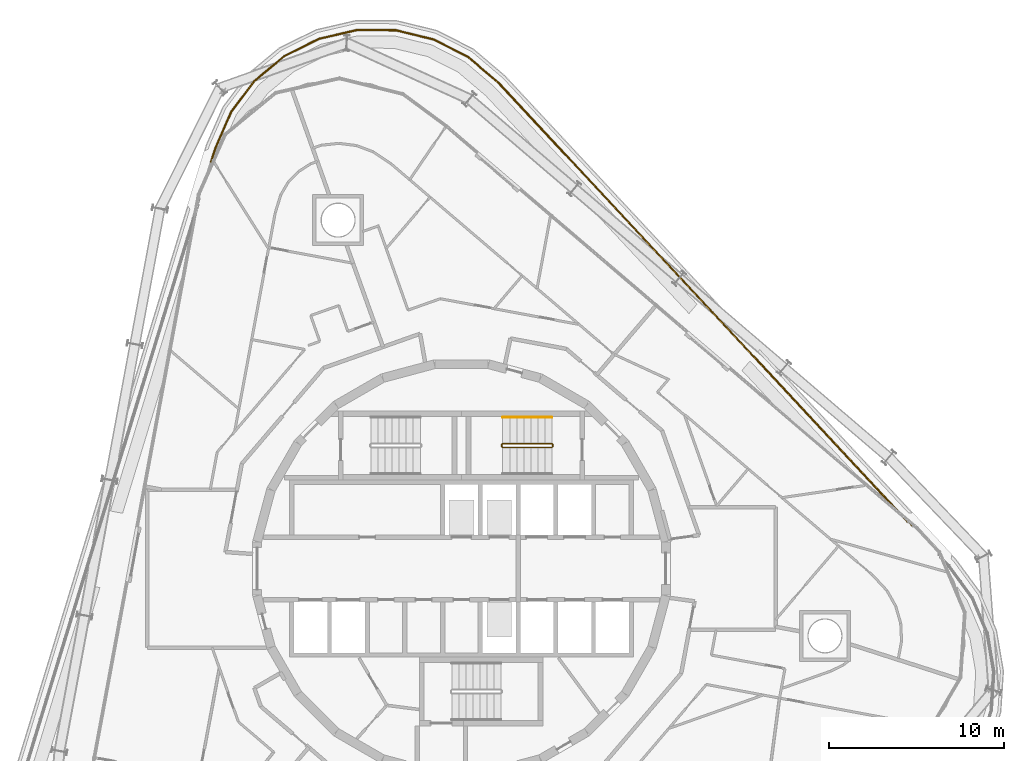
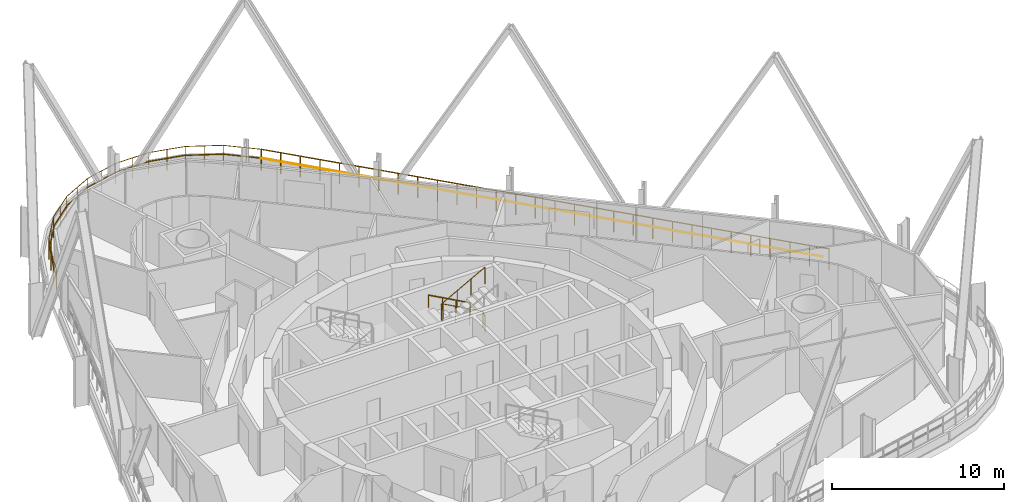
# One storey, part 21 of 25: 6 railings.
"""IFC4 building model written with IfcOpenShell, lengths in metres."""

from ifc_helpers import new_model, si_unit, direction, frame, origin, origin_2d, place, context, subcontext, project, spatial, circle, extrude, material, type_object, element, save


model = new_model("IFC4")

# Units and contexts
model_context = context("Model", 3, precision=1e-05, world=origin(), true_north=direction((0.0, 1.0)))
body_context = subcontext(model_context, "Body", "Model", "MODEL_VIEW")
ifc_project = project(units=[si_unit("LENGTHUNIT", "METRE"), si_unit("AREAUNIT", "SQUARE_METRE"), si_unit("VOLUMEUNIT", "CUBIC_METRE"), si_unit("PLANEANGLEUNIT", "RADIAN"), si_unit("MASSUNIT", "GRAM", prefix="KILO")], contexts=[model_context])

# Site, building, storey
site_placement = place(None, origin())
site = spatial("IfcSite", under=ifc_project, at=site_placement, CompositionType="ELEMENT")
building_placement = place(site_placement, origin())
building = spatial("IfcBuilding", under=site, at=building_placement, Name="Spindle Arch Residences", CompositionType="ELEMENT")
storey_placement = place(building_placement, frame((0.0, 0.0, 151.699951171875)))
storey = spatial("IfcBuildingStorey", under=building, at=storey_placement, Name="L37", CompositionType="ELEMENT", Elevation=151.699951171875)

# Railings
ifc_material_1 = material(Name="Steel, painted", Category="steel")
railing_type_1 = type_object("IfcRailingType", Name="Stair guard 1100", PredefinedType="GUARDRAIL", material=ifc_material_1)
railing_1_placement = place(storey_placement, frame((5.14990234375, 6.89990234375, 3.5)))
element("IfcRailing", 1, at=railing_1_placement, inside=storey, type_object=railing_type_1, Name="L37 ST1 stair guard 1", PredefinedType="GUARDRAIL", context=body_context, shape_type="SweptSolid", body=[
    extrude(circle(Radius=0.02392578125, at=origin_2d()), frame((0.0, 0.0, 1.17578125), z_axis=(-0.877357048833, 0.0, -0.479838106931), x_axis=(0.0, -1.0, 0.0)), (0.0, 0.0, 1.0), 3.191162109375),
    extrude(circle(Radius=0.02392578125, at=origin_2d()), frame((-2.7998046875, 0.0, -0.35546875), z_axis=(-0.217683172539, 0.217683172539, -0.951434744366), x_axis=(-0.707106781187, -0.707106781187, 0.0)), (0.0, 0.0, 1.0), 0.22998046875),
    extrude(circle(Radius=0.02392578125, at=origin_2d()), frame((-2.849853515625, 0.050048828125, -0.57421875), z_axis=(0.0, 1.0, 0.0), x_axis=(-1.0, 0.0, 0.0)), (0.0, 0.0, 1.0), 0.1201171875),
    extrude(circle(Radius=0.02392578125, at=origin_2d()), frame((-2.849853515625, 0.170166015625, -0.57421875), z_axis=(0.707106781187, 0.707106781187, 0.0), x_axis=(-0.707106781187, 0.707106781187, 0.0)), (0.0, 0.0, 1.0), 0.07080078125),
    extrude(circle(Radius=0.02392578125, at=origin_2d()), frame((-2.7998046875, 0.22021484375, -0.57421875), z_axis=(0.877357048833, 0.0, -0.479838106931), x_axis=(0.0, 1.0, 0.0)), (0.0, 0.0, 1.0), 3.191162109375),
    extrude(circle(Radius=0.02392578125, at=origin_2d()), frame((0.0, 0.22021484375, -2.10546875), z_axis=(0.217683172539, -0.217683172539, -0.951434744366), x_axis=(0.707106781187, 0.707106781187, 0.0)), (0.0, 0.0, 1.0), 0.22998046875),
    extrude(circle(Radius=0.02392578125, at=origin_2d()), frame((0.050048828125, 0.170166015625, -2.32421875), z_axis=(0.0, -1.0, 0.0), x_axis=(1.0, 0.0, 0.0)), (0.0, 0.0, 1.0), 0.1201171875),
    extrude(circle(Radius=0.02099609375, at=origin_2d()), origin(), (0.0, 0.0, 1.0), 1.15185546875),
    extrude(circle(Radius=0.02099609375, at=origin_2d()), frame((-0.933349609375, 0.0, -0.510498046875)), (0.0, 0.0, 1.0), 1.15185546875),
    extrude(circle(Radius=0.02099609375, at=origin_2d()), frame((-1.866455078125, 0.0, -1.020751953125)), (0.0, 0.0, 1.0), 1.15185546875),
    extrude(circle(Radius=0.02099609375, at=origin_2d()), frame((-2.7998046875, 0.0, -1.53125)), (0.0, 0.0, 1.0), 1.15185546875),
    extrude(circle(Radius=0.02099609375, at=origin_2d()), frame((-2.849853515625, 0.050048828125, -1.75)), (0.0, 0.0, 1.0), 1.15185546875),
    extrude(circle(Radius=0.02099609375, at=origin_2d()), frame((-2.849853515625, 0.170166015625, -1.75)), (0.0, 0.0, 1.0), 1.15185546875),
    extrude(circle(Radius=0.02099609375, at=origin_2d()), frame((-2.7998046875, 0.22021484375, -1.75)), (0.0, 0.0, 1.0), 1.15185546875),
    extrude(circle(Radius=0.02099609375, at=origin_2d()), frame((-1.866455078125, 0.22021484375, -2.260498046875)), (0.0, 0.0, 1.0), 1.15185546875),
    extrude(circle(Radius=0.02099609375, at=origin_2d()), frame((-0.933349609375, 0.22021484375, -2.770751953125)), (0.0, 0.0, 1.0), 1.15185546875),
    extrude(circle(Radius=0.02099609375, at=origin_2d()), frame((0.0, 0.22021484375, -3.28125)), (0.0, 0.0, 1.0), 1.15185546875),
    extrude(circle(Radius=0.02099609375, at=origin_2d()), frame((0.050048828125, 0.170166015625, -3.5)), (0.0, 0.0, 1.0), 1.15185546875),
    extrude(circle(Radius=0.02099609375, at=origin_2d()), frame((0.050048828125, 0.050048828125, -3.5)), (0.0, 0.0, 1.0), 1.15185546875),
])
ifc_material_2 = material(Name="Steel, painted", Category="steel")
railing_type_2 = type_object("IfcRailingType", Name="Stair handrail 900", PredefinedType="HANDRAIL", material=ifc_material_2)
railing_2_placement = place(storey_placement, frame((5.14990234375, 8.6201171875, 0.21875)))
element("IfcRailing", 2, at=railing_2_placement, inside=storey, type_object=railing_type_2, Name="L37 ST1 stair handrail 1", PredefinedType="HANDRAIL", context=body_context, shape_type="SweptSolid", body=[
    extrude(circle(Radius=0.02392578125, at=origin_2d()), frame((0.0, 0.0, 0.8759765625), z_axis=(-0.877357048833, 0.0, 0.479838106931), x_axis=(0.0, -1.0, 0.0)), (0.0, 0.0, 1.0), 3.191162109375),
    extrude(circle(Radius=0.02099609375, at=origin_2d()), origin(), (0.0, 0.0, 1.0), 0.851806640625),
    extrude(circle(Radius=0.02099609375, at=origin_2d()), frame((-0.933349609375, 0.0, 0.510498046875)), (0.0, 0.0, 1.0), 0.851806640625),
    extrude(circle(Radius=0.02099609375, at=origin_2d()), frame((-1.866455078125, 0.0, 1.020751953125)), (0.0, 0.0, 1.0), 0.851806640625),
    extrude(circle(Radius=0.02099609375, at=origin_2d()), frame((-2.7998046875, 0.0, 1.53125)), (0.0, 0.0, 1.0), 0.851806640625),
])
ifc_material_3 = material(Name="Bronze anodised aluminium guard with glass infill", Category="aluminium")
railing_type_3 = type_object("IfcRailingType", Name="Terrace guard 1500", PredefinedType="GUARDRAIL", material=ifc_material_3)
railing_3_placement = place(storey_placement, frame((-14.2998046875, 23.175048828125, 0.030029296875)))
element("IfcRailing", 3, at=railing_3_placement, inside=storey, type_object=railing_type_3, Name="Terrace guard L36 6", PredefinedType="GUARDRAIL", context=body_context, shape_type="SweptSolid", body=[
    extrude(circle(Radius=0.02392578125, at=origin_2d()), frame((0.0, 0.0, 1.47607421875), z_axis=(0.874157276122, -0.485642931179, 0.0), x_axis=(0.485642931179, 0.874157276122, 0.0)), (0.0, 0.0, 1.0), 0.010009765625),
    extrude(circle(Radius=0.02392578125, at=origin_2d()), frame((0.0087890625, -0.0048828125, 1.47607421875), z_axis=(0.292233093235, 0.956347122764, 0.0), x_axis=(-0.956347122764, 0.292233093235, 0.0)), (0.0, 0.0, 1.0), 0.85205078125),
    extrude(circle(Radius=0.02392578125, at=origin_2d()), frame((0.2578125, 0.81005859375, 1.47607421875), z_axis=(0.401479384424, 0.915868060303, 0.0), x_axis=(-0.915868060303, 0.401479384424, 0.0)), (0.0, 0.0, 1.0), 2.248779296875),
    extrude(circle(Radius=0.02392578125, at=origin_2d()), frame((1.16064453125, 2.86962890625, 1.47607421875), z_axis=(0.601743331297, 0.79868952869, 0.0), x_axis=(-0.79868952869, 0.601743331297, 0.0)), (0.0, 0.0, 1.0), 2.216552734375),
    extrude(circle(Radius=0.02392578125, at=origin_2d()), frame((2.494384765625, 4.639892578125, 1.47607421875), z_axis=(0.769798879555, 0.638286522681, 0.0), x_axis=(-0.638286522681, 0.769798879555, 0.0)), (0.0, 0.0, 1.0), 2.216552734375),
    extrude(circle(Radius=0.02392578125, at=origin_2d()), frame((4.20068359375, 6.0546875, 1.47607421875), z_axis=(0.896248119099, 0.443553050954, 0.0), x_axis=(-0.443553050954, 0.896248119099, 0.0)), (0.0, 0.0, 1.0), 2.216552734375),
    extrude(circle(Radius=0.02392578125, at=origin_2d()), frame((6.187255859375, 7.037841796875, 1.47607421875), z_axis=(0.974376342045, 0.224923862814, 0.0), x_axis=(-0.224923862814, 0.974376342045, 0.0)), (0.0, 0.0, 1.0), 2.216552734375),
    extrude(circle(Radius=0.02392578125, at=origin_2d()), frame((8.346923828125, 7.536376953125, 1.47607421875), z_axis=(0.999983598258, -0.005727409088, 0.0), x_axis=(0.005727409088, 0.999983598258, 0.0)), (0.0, 0.0, 1.0), 2.216552734375),
    extrude(circle(Radius=0.02392578125, at=origin_2d()), frame((10.5634765625, 7.523681640625, 1.47607421875), z_axis=(0.971684010231, -0.236284117667, 0.0), x_axis=(0.236284117667, 0.971684010231, 0.0)), (0.0, 0.0, 1.0), 2.21630859375),
    extrude(circle(Radius=0.02392578125, at=origin_2d()), frame((12.717041015625, 7.0, 1.47607421875), z_axis=(0.891009236747, -0.453985176004, 0.0), x_axis=(0.453985176004, 0.891009236747, 0.0)), (0.0, 0.0, 1.0), 2.216796875),
    extrude(circle(Radius=0.02392578125, at=origin_2d()), frame((14.692138671875, 5.99365234375, 1.47607421875), z_axis=(0.762252640475, -0.647279624343, 0.0), x_axis=(0.647279624343, 0.762252640475, 0.0)), (0.0, 0.0, 1.0), 2.248779296875),
    extrude(circle(Radius=0.02099609375, at=origin_2d()), origin(), (0.0, 0.0, 1.0), 1.451904296875),
    extrude(circle(Radius=0.02099609375, at=origin_2d()), frame((0.0087890625, -0.0048828125, 0.0)), (0.0, 0.0, 1.0), 1.451904296875),
    extrude(circle(Radius=0.02099609375, at=origin_2d()), frame((0.2578125, 0.81005859375, 0.0)), (0.0, 0.0, 1.0), 1.451904296875),
    extrude(circle(Radius=0.02099609375, at=origin_2d()), frame((0.709228515625, 1.83984375, 0.0)), (0.0, 0.0, 1.0), 1.451904296875),
    extrude(circle(Radius=0.02099609375, at=origin_2d()), frame((1.16064453125, 2.86962890625, 0.0)), (0.0, 0.0, 1.0), 1.451904296875),
    extrude(circle(Radius=0.02099609375, at=origin_2d()), frame((1.82763671875, 3.7548828125, 0.0)), (0.0, 0.0, 1.0), 1.451904296875),
    extrude(circle(Radius=0.02099609375, at=origin_2d()), frame((2.494384765625, 4.639892578125, 0.0)), (0.0, 0.0, 1.0), 1.451904296875),
    extrude(circle(Radius=0.02099609375, at=origin_2d()), frame((3.34765625, 5.34716796875, 0.0)), (0.0, 0.0, 1.0), 1.451904296875),
    extrude(circle(Radius=0.02099609375, at=origin_2d()), frame((4.20068359375, 6.0546875, 0.0)), (0.0, 0.0, 1.0), 1.451904296875),
    extrude(circle(Radius=0.02099609375, at=origin_2d()), frame((5.19384765625, 6.54638671875, 0.0)), (0.0, 0.0, 1.0), 1.451904296875),
    extrude(circle(Radius=0.02099609375, at=origin_2d()), frame((6.187255859375, 7.037841796875, 0.0)), (0.0, 0.0, 1.0), 1.451904296875),
    extrude(circle(Radius=0.02099609375, at=origin_2d()), frame((7.26708984375, 7.287109375, 0.0)), (0.0, 0.0, 1.0), 1.451904296875),
    extrude(circle(Radius=0.02099609375, at=origin_2d()), frame((8.346923828125, 7.536376953125, 0.0)), (0.0, 0.0, 1.0), 1.451904296875),
    extrude(circle(Radius=0.02099609375, at=origin_2d()), frame((9.455078125, 7.530029296875, 0.0)), (0.0, 0.0, 1.0), 1.451904296875),
    extrude(circle(Radius=0.02099609375, at=origin_2d()), frame((10.5634765625, 7.523681640625, 0.0)), (0.0, 0.0, 1.0), 1.451904296875),
    extrude(circle(Radius=0.02099609375, at=origin_2d()), frame((11.64013671875, 7.26171875, 0.0)), (0.0, 0.0, 1.0), 1.451904296875),
    extrude(circle(Radius=0.02099609375, at=origin_2d()), frame((12.717041015625, 7.0, 0.0)), (0.0, 0.0, 1.0), 1.451904296875),
    extrude(circle(Radius=0.02099609375, at=origin_2d()), frame((13.70458984375, 6.496826171875, 0.0)), (0.0, 0.0, 1.0), 1.451904296875),
    extrude(circle(Radius=0.02099609375, at=origin_2d()), frame((14.692138671875, 5.99365234375, 0.0)), (0.0, 0.0, 1.0), 1.451904296875),
    extrude(circle(Radius=0.02099609375, at=origin_2d()), frame((15.54931640625, 5.265869140625, 0.0)), (0.0, 0.0, 1.0), 1.451904296875),
    extrude(circle(Radius=0.02099609375, at=origin_2d()), frame((16.40625, 4.5380859375, 0.0)), (0.0, 0.0, 1.0), 1.451904296875),
])
railing_4_placement = place(storey_placement, frame((2.1064453125, 27.713134765625, 0.030029296875)))
element("IfcRailing", 4, at=railing_4_placement, inside=storey, type_object=railing_type_3, Name="Terrace guard L36 7", PredefinedType="GUARDRAIL", context=body_context, shape_type="SweptSolid", body=[
    extrude(circle(Radius=0.02392578125, at=origin_2d()), frame((0.0, 0.0, 1.47607421875), z_axis=(0.681996259553, -0.73135566037, 0.0), x_axis=(0.73135566037, 0.681996259553, 0.0)), (0.0, 0.0, 1.0), 34.61328125),
    extrude(circle(Radius=0.02099609375, at=origin_2d()), origin(), (0.0, 0.0, 1.0), 1.451904296875),
    extrude(circle(Radius=0.02099609375, at=origin_2d()), frame((0.81396484375, -0.872802734375, 0.0)), (0.0, 0.0, 1.0), 1.451904296875),
    extrude(circle(Radius=0.02099609375, at=origin_2d()), frame((1.6279296875, -1.745849609375, 0.0)), (0.0, 0.0, 1.0), 1.451904296875),
    extrude(circle(Radius=0.02099609375, at=origin_2d()), frame((2.442138671875, -2.61865234375, 0.0)), (0.0, 0.0, 1.0), 1.451904296875),
    extrude(circle(Radius=0.02099609375, at=origin_2d()), frame((3.256103515625, -3.49169921875, 0.0)), (0.0, 0.0, 1.0), 1.451904296875),
    extrude(circle(Radius=0.02099609375, at=origin_2d()), frame((4.070068359375, -4.364501953125, 0.0)), (0.0, 0.0, 1.0), 1.451904296875),
    extrude(circle(Radius=0.02099609375, at=origin_2d()), frame((4.884033203125, -5.237548828125, 0.0)), (0.0, 0.0, 1.0), 1.451904296875),
    extrude(circle(Radius=0.02099609375, at=origin_2d()), frame((5.697998046875, -6.1103515625, 0.0)), (0.0, 0.0, 1.0), 1.451904296875),
    extrude(circle(Radius=0.02099609375, at=origin_2d()), frame((6.511962890625, -6.9833984375, 0.0)), (0.0, 0.0, 1.0), 1.451904296875),
    extrude(circle(Radius=0.02099609375, at=origin_2d()), frame((7.326171875, -7.856201171875, 0.0)), (0.0, 0.0, 1.0), 1.451904296875),
    extrude(circle(Radius=0.02099609375, at=origin_2d()), frame((8.14013671875, -8.729248046875, 0.0)), (0.0, 0.0, 1.0), 1.451904296875),
    extrude(circle(Radius=0.02099609375, at=origin_2d()), frame((8.9541015625, -9.60205078125, 0.0)), (0.0, 0.0, 1.0), 1.451904296875),
    extrude(circle(Radius=0.02099609375, at=origin_2d()), frame((9.76806640625, -10.47509765625, 0.0)), (0.0, 0.0, 1.0), 1.451904296875),
    extrude(circle(Radius=0.02099609375, at=origin_2d()), frame((10.58203125, -11.347900390625, 0.0)), (0.0, 0.0, 1.0), 1.451904296875),
    extrude(circle(Radius=0.02099609375, at=origin_2d()), frame((11.39599609375, -12.220947265625, 0.0)), (0.0, 0.0, 1.0), 1.451904296875),
    extrude(circle(Radius=0.02099609375, at=origin_2d()), frame((12.210205078125, -13.09375, 0.0)), (0.0, 0.0, 1.0), 1.451904296875),
    extrude(circle(Radius=0.02099609375, at=origin_2d()), frame((13.024169921875, -13.966796875, 0.0)), (0.0, 0.0, 1.0), 1.451904296875),
    extrude(circle(Radius=0.02099609375, at=origin_2d()), frame((13.838134765625, -14.839599609375, 0.0)), (0.0, 0.0, 1.0), 1.451904296875),
    extrude(circle(Radius=0.02099609375, at=origin_2d()), frame((14.652099609375, -15.712646484375, 0.0)), (0.0, 0.0, 1.0), 1.451904296875),
    extrude(circle(Radius=0.02099609375, at=origin_2d()), frame((15.466064453125, -16.58544921875, 0.0)), (0.0, 0.0, 1.0), 1.451904296875),
    extrude(circle(Radius=0.02099609375, at=origin_2d()), frame((16.280029296875, -17.45849609375, 0.0)), (0.0, 0.0, 1.0), 1.451904296875),
    extrude(circle(Radius=0.02099609375, at=origin_2d()), frame((17.09423828125, -18.331298828125, 0.0)), (0.0, 0.0, 1.0), 1.451904296875),
    extrude(circle(Radius=0.02099609375, at=origin_2d()), frame((17.908203125, -19.204345703125, 0.0)), (0.0, 0.0, 1.0), 1.451904296875),
    extrude(circle(Radius=0.02099609375, at=origin_2d()), frame((18.72216796875, -20.0771484375, 0.0)), (0.0, 0.0, 1.0), 1.451904296875),
    extrude(circle(Radius=0.02099609375, at=origin_2d()), frame((19.5361328125, -20.9501953125, 0.0)), (0.0, 0.0, 1.0), 1.451904296875),
    extrude(circle(Radius=0.02099609375, at=origin_2d()), frame((20.35009765625, -21.822998046875, 0.0)), (0.0, 0.0, 1.0), 1.451904296875),
    extrude(circle(Radius=0.02099609375, at=origin_2d()), frame((21.1640625, -22.696044921875, 0.0)), (0.0, 0.0, 1.0), 1.451904296875),
    extrude(circle(Radius=0.02099609375, at=origin_2d()), frame((21.978271484375, -23.56884765625, 0.0)), (0.0, 0.0, 1.0), 1.451904296875),
    extrude(circle(Radius=0.02099609375, at=origin_2d()), frame((22.792236328125, -24.44189453125, 0.0)), (0.0, 0.0, 1.0), 1.451904296875),
    extrude(circle(Radius=0.02099609375, at=origin_2d()), frame((23.606201171875, -25.314697265625, 0.0)), (0.0, 0.0, 1.0), 1.451904296875),
])
ifc_material_4 = material(Name="Bronze anodised aluminium handrail", Category="aluminium")
railing_type_4 = type_object("IfcRailingType", Name="Terrace handrail 900", PredefinedType="HANDRAIL", material=ifc_material_4)
railing_5_placement = place(storey_placement, frame((-14.20849609375, 23.330078125, 0.030029296875)))
element("IfcRailing", 5, at=railing_5_placement, inside=storey, type_object=railing_type_4, Name="Terrace handrail L36 6", PredefinedType="HANDRAIL", context=body_context, shape_type="SweptSolid", body=[
    extrude(circle(Radius=0.02392578125, at=origin_2d()), frame((0.0, 0.0, 0.8759765625), z_axis=(0.874157276122, -0.485642931179, 0.0), x_axis=(0.485642931179, 0.874157276122, 0.0)), (0.0, 0.0, 1.0), 0.010009765625),
    extrude(circle(Radius=0.02392578125, at=origin_2d()), frame((0.0087890625, -0.0048828125, 0.8759765625), z_axis=(0.292356420153, 0.956309428791, 0.0), x_axis=(-0.956309428791, 0.292356420153, 0.0)), (0.0, 0.0, 1.0), 0.6748046875),
    extrude(circle(Radius=0.02392578125, at=origin_2d()), frame((0.2060546875, 0.640380859375, 0.8759765625), z_axis=(0.401373006647, 0.915914684638, 0.0), x_axis=(-0.915914684638, 0.401373006647, 0.0)), (0.0, 0.0, 1.0), 2.241455078125),
    extrude(circle(Radius=0.02392578125, at=origin_2d()), frame((1.105712890625, 2.693359375, 0.8759765625), z_axis=(0.601874782674, 0.798590474512, 0.0), x_axis=(-0.798590474512, 0.601874782674, 0.0)), (0.0, 0.0, 1.0), 2.20654296875),
    extrude(circle(Radius=0.02392578125, at=origin_2d()), frame((2.433837890625, 4.45556640625, 0.8759765625), z_axis=(0.769715528227, 0.638387034335, 0.0), x_axis=(-0.638387034335, 0.769715528227, 0.0)), (0.0, 0.0, 1.0), 2.20654296875),
    extrude(circle(Radius=0.02392578125, at=origin_2d()), frame((4.13232421875, 5.8642578125, 0.8759765625), z_axis=(0.896256194158, 0.44353673403, 0.0), x_axis=(-0.44353673403, 0.896256194158, 0.0)), (0.0, 0.0, 1.0), 2.206787109375),
    extrude(circle(Radius=0.02392578125, at=origin_2d()), frame((6.110107421875, 6.843017578125, 0.8759765625), z_axis=(0.97437627626, 0.224924147796, 0.0), x_axis=(-0.224924147796, 0.97437627626, 0.0)), (0.0, 0.0, 1.0), 2.206787109375),
    extrude(circle(Radius=0.02392578125, at=origin_2d()), frame((8.26025390625, 7.33935546875, 0.8759765625), z_axis=(0.999983449114, -0.005753390059, 0.0), x_axis=(0.005753390059, 0.999983449114, 0.0)), (0.0, 0.0, 1.0), 2.20654296875),
    extrude(circle(Radius=0.02392578125, at=origin_2d()), frame((10.466796875, 7.32666015625, 0.8759765625), z_axis=(0.971677902429, -0.2363092337, 0.0), x_axis=(0.2363092337, 0.971677902429, 0.0)), (0.0, 0.0, 1.0), 2.206787109375),
    extrude(circle(Radius=0.02392578125, at=origin_2d()), frame((12.611083984375, 6.80517578125, 0.8759765625), z_axis=(0.891038652569, -0.453927438725, 0.0), x_axis=(0.453927438725, 0.891038652569, 0.0)), (0.0, 0.0, 1.0), 2.206787109375),
    extrude(circle(Radius=0.02392578125, at=origin_2d()), frame((14.577392578125, 5.803466796875, 0.8759765625), z_axis=(0.762277854658, -0.647249930319, 0.0), x_axis=(0.647249930319, 0.762277854658, 0.0)), (0.0, 0.0, 1.0), 2.2412109375),
])
railing_6_placement = place(storey_placement, frame((2.077392578125, 27.682861328125, 0.030029296875)))
element("IfcRailing", 6, at=railing_6_placement, inside=storey, type_object=railing_type_4, Name="Terrace handrail L36 7", PredefinedType="HANDRAIL", context=body_context, shape_type="SweptSolid", body=[
    extrude(circle(Radius=0.02392578125, at=origin_2d()), frame((0.0, 0.0, 0.8759765625), z_axis=(0.681996329323, -0.731355595309, 0.0), x_axis=(0.731355595309, 0.681996329323, 0.0)), (0.0, 0.0, 1.0), 34.242431640625),
])

save(model, "model.ifc")
